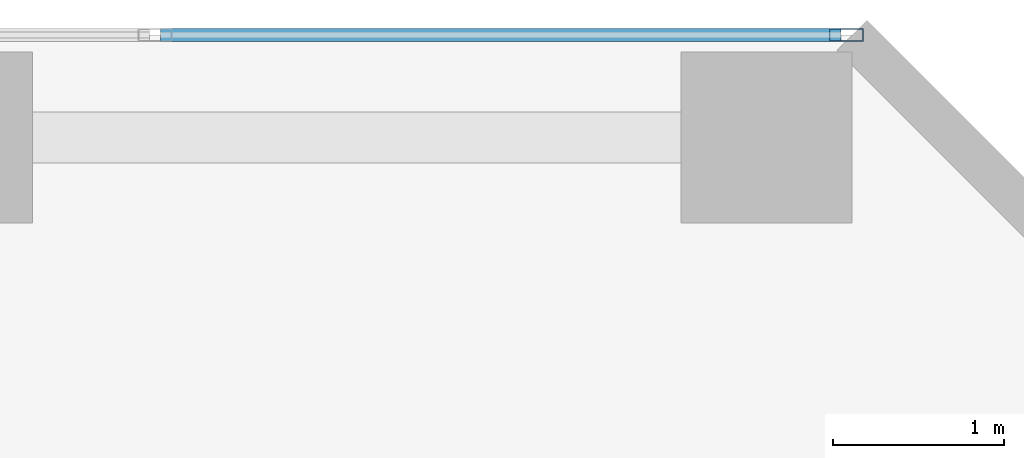
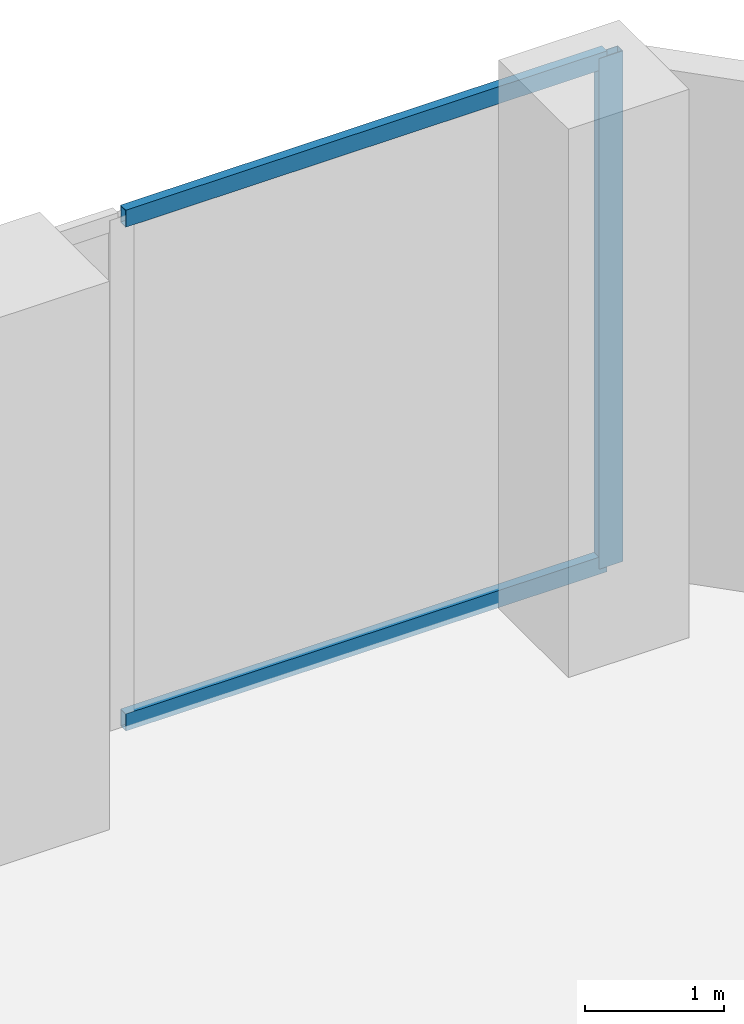
# One storey, part 19 of 24: 3 members, 1 element without a shape of its own.
"""IFC4 building model written with IfcOpenShell, lengths in metres."""

from ifc_helpers import new_model, si_unit, direction, frame, origin, origin_2d, place, context, subcontext, project, spatial, hollow_rectangle, extrude, material, layer, layer_set, material_profile, profile_set, type_object, element, aggregate, save


model = new_model("IFC4")

# Units and contexts
model_context = context("Model", 3, precision=1e-05, world=origin(), true_north=direction((0.0, 1.0)))
body_context = subcontext(model_context, "Body", "Model", "MODEL_VIEW")
ifc_project = project(units=[si_unit("LENGTHUNIT", "METRE"), si_unit("AREAUNIT", "SQUARE_METRE"), si_unit("VOLUMEUNIT", "CUBIC_METRE"), si_unit("PLANEANGLEUNIT", "RADIAN"), si_unit("MASSUNIT", "GRAM", prefix="KILO")], contexts=[model_context])

# Site, building, storey
site_placement = place(None, origin())
site = spatial("IfcSite", under=ifc_project, at=site_placement, CompositionType="ELEMENT")
building_placement = place(site_placement, origin())
building = spatial("IfcBuilding", under=site, at=building_placement, Name="Catumbela Crestline Tower", CompositionType="ELEMENT")
storey_placement = place(building_placement, frame((0.0, 0.0, 11.1)))
storey = spatial("IfcBuildingStorey", under=building, at=storey_placement, Name="L02", CompositionType="ELEMENT", Elevation=11.1)

# Curtain wall, members
ifc_material = material(Name="Aluminium alloy AW-6060-T66", Category="aluminium")
ifc_layer = layer(ifc_material, 0.18, Name="Aluminium alloy AW-6060-T66")
ifc_layer_set = layer_set([ifc_layer], Name="Aluminium alloy AW-6060-T66")
curtain_wall_type = type_object("IfcCurtainWallType", Name="CWS-POD", PredefinedType="USERDEFINED", material=ifc_layer_set)
curtain_wall_placement = place(storey_placement, origin())
curtain_wall = element("IfcCurtainWall", 1, at=curtain_wall_placement, inside=storey, type_object=curtain_wall_type, Name="L02 Stick Curtain Wall CW-L02-E7S1", ObjectType="STICK", PredefinedType="USERDEFINED")
ifc_material_profile_1 = material_profile(ifc_material, hollow_rectangle(XDim=0.075, YDim=0.2, WallThickness=0.005, at=origin_2d()), Name="ALU 200x75x5")
ifc_profile_set_1 = profile_set([ifc_material_profile_1], Name="Aluminium alloy AW-6060-T66")
member_type_1 = type_object("IfcMemberType", Name="MUL-200X75", PredefinedType="MULLION", material=ifc_profile_set_1)
member_1_placement = place(storey_placement, frame((52.4675, 48.0, 0.0), z_axis=(0.0, 0.0, 1.0), x_axis=(0.0, -1.0, 0.0)))
member_1 = element("IfcMember", 2, at=member_1_placement, type_object=member_type_1, Name="CWS-POD mullion 1", PredefinedType="MULLION", context=body_context, shape_type="SweptSolid", body=[
    extrude(hollow_rectangle(XDim=0.075, YDim=0.2, WallThickness=0.005, at=origin_2d()), origin(), (0.0, 0.0, 1.0), 4.47),
])
ifc_material_profile_2 = material_profile(ifc_material, hollow_rectangle(XDim=0.075, YDim=0.15, WallThickness=0.0045, at=origin_2d()), Name="ALU 150x75x4.5")
ifc_profile_set_2 = profile_set([ifc_material_profile_2], Name="Aluminium alloy AW-6060-T66")
member_type_2 = type_object("IfcMemberType", Name="TRN-150X75", PredefinedType="USERDEFINED", material=ifc_profile_set_2)
member_2_placement = place(storey_placement, frame((52.435, 48.0, 0.03), z_axis=(-1.0, 0.0, 0.0), x_axis=(0.0, -1.0, 0.0)))
member_2 = element("IfcMember", 3, at=member_2_placement, type_object=member_type_2, Name="CWS-POD transom 1.1", ObjectType="TRANSOM", PredefinedType="USERDEFINED", context=body_context, shape_type="SweptSolid", body=[
    extrude(hollow_rectangle(XDim=0.075, YDim=0.15, WallThickness=0.0045, at=origin_2d()), origin(), (0.0, 0.0, 1.0), 3.9858),
])
member_3_placement = place(storey_placement, frame((52.435, 48.0, 4.44), z_axis=(-1.0, 0.0, 0.0), x_axis=(0.0, -1.0, 0.0)))
member_3 = element("IfcMember", 4, at=member_3_placement, type_object=member_type_2, Name="CWS-POD transom 1.2", ObjectType="TRANSOM", PredefinedType="USERDEFINED", context=body_context, shape_type="SweptSolid", body=[
    extrude(hollow_rectangle(XDim=0.075, YDim=0.15, WallThickness=0.0045, at=origin_2d()), origin(), (0.0, 0.0, 1.0), 3.9858),
])
aggregate(curtain_wall, [member_1, member_2, member_3])

save(model, "model.ifc")
